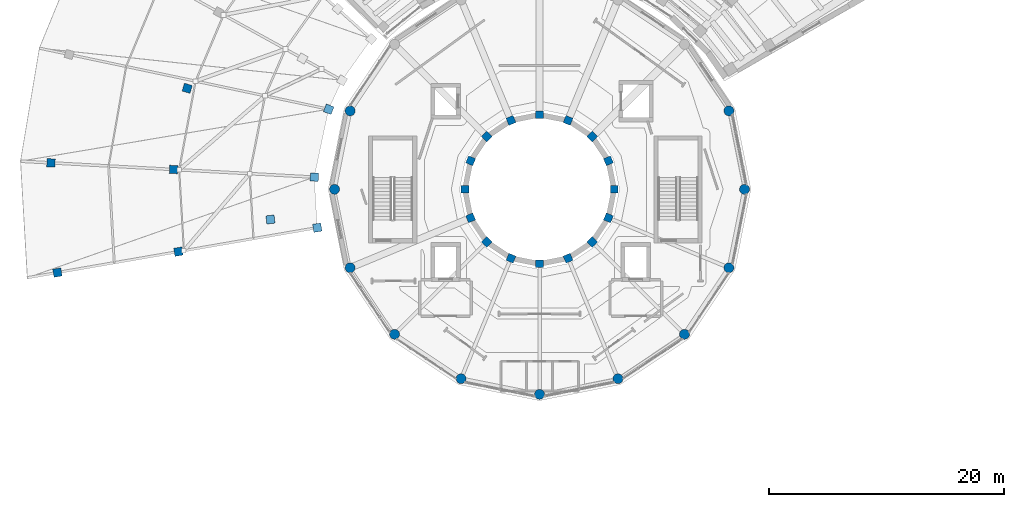
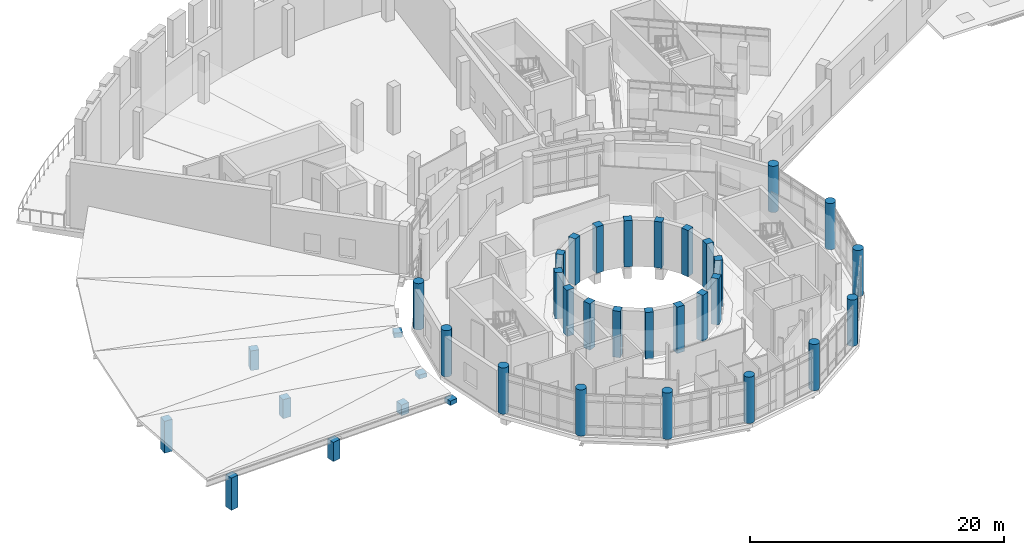
# One storey, part 1 of 49: 36 columns.
"""IFC4 building model written with IfcOpenShell, lengths in metres."""

from ifc_helpers import new_model, si_unit, direction, frame, origin, origin_2d, place, context, subcontext, project, spatial, rectangle, circle, extrude, material, material_profile, profile_set, type_object, element, save


model = new_model("IFC4")

# Units and contexts
model_context = context("Model", 3, precision=1e-05, world=origin(), true_north=direction((0.0, 1.0)))
body_context = subcontext(model_context, "Body", "Model", "MODEL_VIEW")
ifc_project = project(units=[si_unit("LENGTHUNIT", "METRE"), si_unit("AREAUNIT", "SQUARE_METRE"), si_unit("VOLUMEUNIT", "CUBIC_METRE"), si_unit("PLANEANGLEUNIT", "RADIAN"), si_unit("MASSUNIT", "GRAM", prefix="KILO")], contexts=[model_context])

# Site, building, storey
site_placement = place(None, origin())
site = spatial("IfcSite", under=ifc_project, at=site_placement, CompositionType="ELEMENT")
building_placement = place(site_placement, origin())
building = spatial("IfcBuilding", under=site, at=building_placement, Name="Soyqirgoq Riverine Aquarium", CompositionType="ELEMENT")
storey_placement = place(building_placement, frame((0.0, 0.0, 15.0)))
storey = spatial("IfcBuildingStorey", under=building, at=storey_placement, Name="L04", CompositionType="ELEMENT", Elevation=15.0)

# Columns
ifc_material_1 = material(Name="Concrete C40/50", Category="concrete")
ifc_material_profile_1 = material_profile(ifc_material_1, circle(Radius=0.425048828125, at=origin_2d()), Name="RC-COL D850")
ifc_profile_set_1 = profile_set([ifc_material_profile_1], Name="Concrete C40/50")
column_type_1 = type_object("IfcColumnType", Name="Col_Circ_D850", PredefinedType="COLUMN", material=ifc_profile_set_1)
for number, where, z_axis, x_axis, name in (
    (1, (73.449951171875, 57.0, 0.0), (0.0, 0.0, 1.0), (1.0, 0.0, 0.0), "V1 Column V1-CO01 L04"),
    (2, (72.12158203125, 63.677734375, 0.0), (0.0, 0.0, 1.0), (0.923879532511, 0.382683432365, 0.0), "V1 Column V1-CO02 L04"),
    (3, (39.87841796875, 63.677734375, 0.0), (0.0, 0.0, 1.0), (-0.923879532511, 0.382683432365, 0.0), "V1 Column V1-CO08 L04"),
    (4, (38.550048828125, 57.0, 0.0), (0.0, 0.0, 1.0), (-1.0, 0.0, 0.0), "V1 Column V1-CO09 L04"),
    (5, (39.87841796875, 50.322265625, 0.0), (0.0, 0.0, 1.0), (-0.923879532511, -0.382683432365, 0.0), "V1 Column V1-CO10 L04"),
    (6, (43.660888671875, 44.660888671875, 0.0), (0.0, 0.0, 1.0), (-0.707106781187, -0.707106781187, 0.0), "V1 Column V1-CO11 L04"),
    (7, (49.322265625, 40.87841796875, 0.0), (0.0, 0.0, 1.0), (-0.382683432365, -0.923879532511, 0.0), "V1 Column V1-CO12 L04"),
    (8, (56.0, 39.550048828125, 0.0), (0.0, 0.0, 1.0), (0.0, -1.0, 0.0), "V1 Column V1-CO13 L04"),
    (9, (62.677734375, 40.87841796875, 0.0), (0.0, 0.0, 1.0), (0.382683432365, -0.923879532511, 0.0), "V1 Column V1-CO14 L04"),
    (10, (68.339111328125, 44.660888671875, 0.0), (0.0, 0.0, 1.0), (0.707106781187, -0.707106781187, 0.0), "V1 Column V1-CO15 L04"),
    (11, (72.12158203125, 50.322265625, 0.0), (0.0, 0.0, 1.0), (0.923879532511, -0.382683432365, 0.0), "V1 Column V1-CO16 L04"),
):
    element("IfcColumn", number, at=place(storey_placement, frame(where, z_axis=z_axis, x_axis=x_axis)), inside=storey, type_object=column_type_1, Name=name, PredefinedType="COLUMN", context=body_context, shape_type="SweptSolid", body=[
        extrude(circle(Radius=0.425048828125, at=origin_2d()), origin(), (0.0, 0.0, 1.0), 4.449951171875),
    ])
ifc_material_2 = material(Name="Concrete C40/50", Category="concrete")
ifc_material_profile_2 = material_profile(ifc_material_2, rectangle(XDim=0.64990234375, YDim=0.64990234375, at=origin_2d()), Name="RC 650x650")
ifc_profile_set_2 = profile_set([ifc_material_profile_2], Name="Concrete C40/50")
column_type_2 = type_object("IfcColumnType", Name="Col_RC_650x650", PredefinedType="COLUMN", material=ifc_profile_set_2)
for number, where, z_axis, x_axis, name in (
    (12, (62.35009765625, 57.0, 0.0), (0.0, 0.0, 1.0), (1.0, 0.0, 0.0), "V1 Column V1-CT01 L04"),
    (13, (61.86669921875, 59.429931640625, 0.0), (0.0, 0.0, 1.0), (0.923879532511, 0.382683432365, 0.0), "V1 Column V1-CT02 L04"),
    (14, (60.489990234375, 61.489990234375, 0.0), (0.0, 0.0, 1.0), (0.707106781187, 0.707106781187, 0.0), "V1 Column V1-CT03 L04"),
    (15, (58.429931640625, 62.86669921875, 0.0), (0.0, 0.0, 1.0), (0.382683432365, 0.923879532511, 0.0), "V1 Column V1-CT04 L04"),
    (16, (56.0, 63.35009765625, 0.0), (0.0, 0.0, 1.0), (0.0, 1.0, 0.0), "V1 Column V1-CT05 L04"),
    (17, (53.570068359375, 62.86669921875, 0.0), (0.0, 0.0, 1.0), (-0.382683432365, 0.923879532511, 0.0), "V1 Column V1-CT06 L04"),
    (18, (51.510009765625, 61.489990234375, 0.0), (0.0, 0.0, 1.0), (-0.707106781187, 0.707106781187, 0.0), "V1 Column V1-CT07 L04"),
    (19, (50.13330078125, 59.429931640625, 0.0), (0.0, 0.0, 1.0), (-0.923879532511, 0.382683432365, 0.0), "V1 Column V1-CT08 L04"),
    (20, (49.64990234375, 57.0, 0.0), (0.0, 0.0, 1.0), (-1.0, 0.0, 0.0), "V1 Column V1-CT09 L04"),
    (21, (50.13330078125, 54.570068359375, 0.0), (0.0, 0.0, 1.0), (-0.923879532511, -0.382683432365, 0.0), "V1 Column V1-CT10 L04"),
    (22, (51.510009765625, 52.510009765625, 0.0), (0.0, 0.0, 1.0), (-0.707106781187, -0.707106781187, 0.0), "V1 Column V1-CT11 L04"),
    (23, (53.570068359375, 51.13330078125, 0.0), (0.0, 0.0, 1.0), (-0.382683432365, -0.923879532511, 0.0), "V1 Column V1-CT12 L04"),
    (24, (56.0, 50.64990234375, 0.0), (0.0, 0.0, 1.0), (0.0, -1.0, 0.0), "V1 Column V1-CT13 L04"),
    (25, (58.429931640625, 51.13330078125, 0.0), (0.0, 0.0, 1.0), (0.382683432365, -0.923879532511, 0.0), "V1 Column V1-CT14 L04"),
    (26, (60.489990234375, 52.510009765625, 0.0), (0.0, 0.0, 1.0), (0.707106781187, -0.707106781187, 0.0), "V1 Column V1-CT15 L04"),
    (27, (61.86669921875, 54.570068359375, 0.0), (0.0, 0.0, 1.0), (0.923879532511, -0.382683432365, 0.0), "V1 Column V1-CT16 L04"),
):
    element("IfcColumn", number, at=place(storey_placement, frame(where, z_axis=z_axis, x_axis=x_axis)), inside=storey, type_object=column_type_2, Name=name, PredefinedType="COLUMN", context=body_context, shape_type="SweptSolid", body=[
        extrude(rectangle(XDim=0.64990234375, YDim=0.64990234375, at=origin_2d()), origin(), (0.0, 0.0, 1.0), 4.449951171875),
    ])
ifc_material_3 = material(Name="Concrete C40/50", Category="concrete")
ifc_material_profile_3 = material_profile(ifc_material_3, rectangle(XDim=0.699951171875, YDim=0.699951171875, at=origin_2d()), Name="RC 700x700")
ifc_profile_set_3 = profile_set([ifc_material_profile_3], Name="Concrete C40/50")
column_type_3 = type_object("IfcColumnType", Name="Col_RC_700x700", PredefinedType="COLUMN", material=ifc_profile_set_3)
column_1_placement = place(storey_placement, frame((38.05126953125, 63.818115234375, -0.219970703125), z_axis=(0.0, 0.0, 1.0), x_axis=(-0.934825676396, 0.355106962408, 0.0)))
element("IfcColumn", 28, at=column_1_placement, inside=storey, type_object=column_type_3, Name="V3 Prairie Roof Inner Column Post 03", PredefinedType="COLUMN", context=body_context, shape_type="SweptSolid", body=[
    extrude(rectangle(XDim=0.699951171875, YDim=0.699951171875, at=origin_2d()), origin(), (0.0, 0.0, 1.0), 0.456787109375),
])
column_2_placement = place(storey_placement, frame((26.008544921875, 65.599853515625, -0.219970703125), z_axis=(0.0, 0.0, 1.0), x_axis=(-0.961261695938, 0.275637355817, 0.0)))
element("IfcColumn", 29, at=column_2_placement, inside=storey, type_object=column_type_3, Name="V3 Prairie Roof Mid Column Post R3-03", PredefinedType="COLUMN", context=body_context, shape_type="SweptSolid", body=[
    extrude(rectangle(XDim=0.699951171875, YDim=0.699951171875, at=origin_2d()), origin(), (0.0, 0.0, 1.0), 1.894775390625),
])
column_3_placement = place(storey_placement, frame((36.828125, 58.038330078125, -0.219970703125), z_axis=(0.0, 0.0, 1.0), x_axis=(-0.998536670326, 0.054078812985, 0.0)))
element("IfcColumn", 30, at=column_3_placement, inside=storey, type_object=column_type_3, Name="V3 Prairie Roof Inner Column Post 04", PredefinedType="COLUMN", context=body_context, shape_type="SweptSolid", body=[
    extrude(rectangle(XDim=0.699951171875, YDim=0.699951171875, at=origin_2d()), origin(), (0.0, 0.0, 1.0), 0.403076171875),
])
column_4_placement = place(storey_placement, frame((14.410888671875, 59.25244140625, -0.219970703125), z_axis=(0.0, 0.0, 1.0), x_axis=(-0.998536670326, 0.054078812985, 0.0)))
element("IfcColumn", 31, at=column_4_placement, inside=storey, type_object=column_type_3, Name="V3 Prairie Roof Outer Column Post 04", PredefinedType="COLUMN", context=body_context, shape_type="SweptSolid", body=[
    extrude(rectangle(XDim=0.699951171875, YDim=0.699951171875, at=origin_2d()), origin(), (0.0, 0.0, 1.0), 3.068603515625),
])
column_5_placement = place(storey_placement, frame((33.093505859375, 54.4306640625, -0.219970703125), z_axis=(0.0, 0.0, 1.0), x_axis=(-0.993767919161, -0.111468932206, 0.0)))
element("IfcColumn", 32, at=column_5_placement, inside=storey, type_object=column_type_3, Name="V3 Prairie Roof Mid Column Post R2-04", PredefinedType="COLUMN", context=body_context, shape_type="SweptSolid", body=[
    extrude(rectangle(XDim=0.699951171875, YDim=0.699951171875, at=origin_2d()), origin(), (0.0, 0.0, 1.0), 1.01953125),
])
column_6_placement = place(storey_placement, frame((24.845703125, 58.687255859375, -0.219970703125), z_axis=(0.0, 0.0, 1.0), x_axis=(-0.998536670326, 0.054078812985, 0.0)))
element("IfcColumn", 33, at=column_6_placement, inside=storey, type_object=column_type_3, Name="V3 Prairie Roof Mid Column Post R3-04", PredefinedType="COLUMN", context=body_context, shape_type="SweptSolid", body=[
    extrude(rectangle(XDim=0.699951171875, YDim=0.699951171875, at=origin_2d()), origin(), (0.0, 0.0, 1.0), 1.827880859375),
])
column_7_placement = place(storey_placement, frame((37.080078125, 53.73193359375, -0.219970703125), z_axis=(0.0, 0.0, 1.0), x_axis=(-0.985407898483, -0.170209499166, 0.0)))
element("IfcColumn", 34, at=column_7_placement, inside=storey, type_object=column_type_3, Name="V3 Prairie Roof Inner Column Post 05", PredefinedType="COLUMN", context=body_context, shape_type="SweptSolid", body=[
    extrude(rectangle(XDim=0.699951171875, YDim=0.699951171875, at=origin_2d()), origin(), (0.0, 0.0, 1.0), 0.427978515625),
])
column_8_placement = place(storey_placement, frame((14.957763671875, 49.910888671875, -0.219970703125), z_axis=(0.0, 0.0, 1.0), x_axis=(-0.985407898483, -0.170209499166, 0.0)))
element("IfcColumn", 35, at=column_8_placement, inside=storey, type_object=column_type_3, Name="V3 Prairie Roof Outer Column Post 05", PredefinedType="COLUMN", context=body_context, shape_type="SweptSolid", body=[
    extrude(rectangle(XDim=0.699951171875, YDim=0.699951171875, at=origin_2d()), origin(), (0.0, 0.0, 1.0), 3.09375),
])
column_9_placement = place(storey_placement, frame((25.25537109375, 51.689453125, -0.219970703125), z_axis=(0.0, 0.0, 1.0), x_axis=(-0.985407898483, -0.170209499166, 0.0)))
element("IfcColumn", 36, at=column_9_placement, inside=storey, type_object=column_type_3, Name="V3 Prairie Roof Mid Column Post R3-05", PredefinedType="COLUMN", context=body_context, shape_type="SweptSolid", body=[
    extrude(rectangle(XDim=0.699951171875, YDim=0.699951171875, at=origin_2d()), origin(), (0.0, 0.0, 1.0), 1.852783203125),
])

save(model, "model.ifc")
